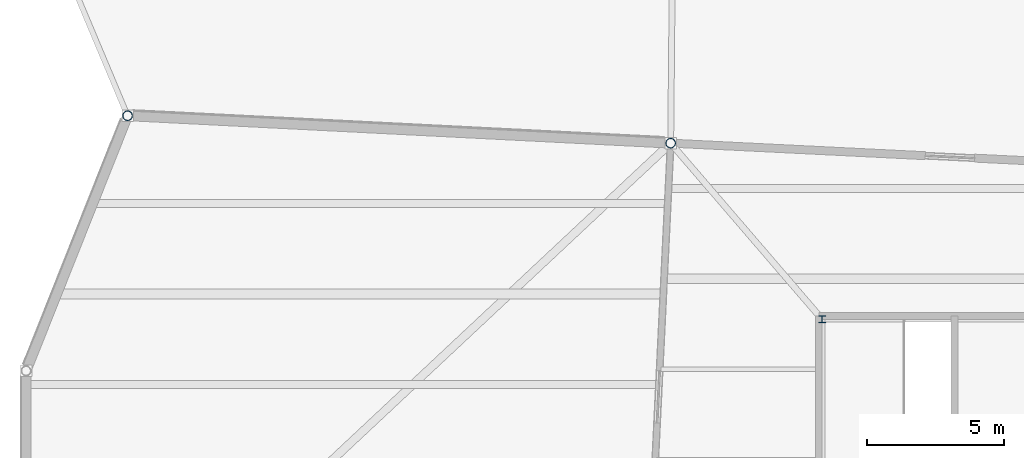
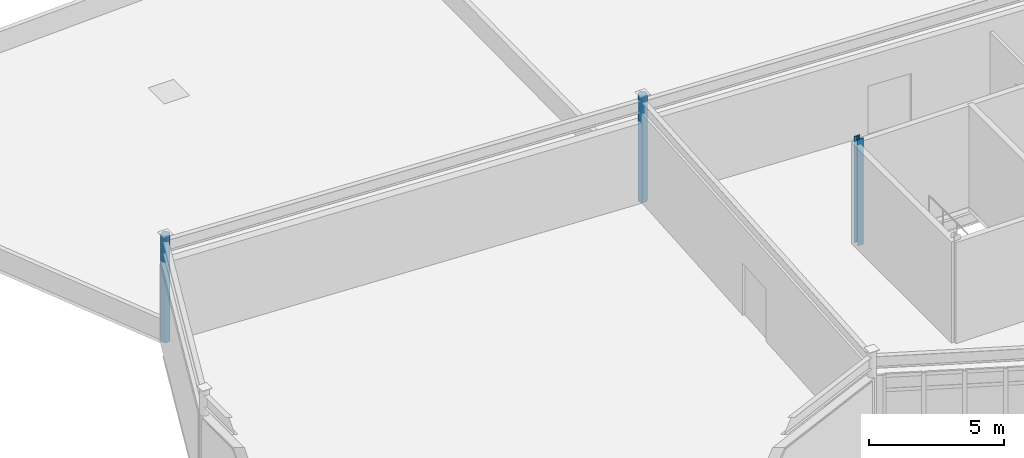
# One storey, part 2 of 114: 3 columns.
"""IFC4 building model written with IfcOpenShell, lengths in metres."""

import ifcopenshell
import ifcopenshell.guid

model = None  # the IFC model being written
_history = None  # IfcOwnerHistory: only IFC2X3 demands one
_inside = {}  # id of a spatial element -> (the spatial element, [elements in it])
_under = {}  # id of a project, library or spatial element -> (it, [spatial elements below it])
_declared = {}  # id of a project -> (the project, [libraries it declares])
_typed = {}  # id of a type object -> (the type object, [elements of that type])
_made_of = {}  # id of a material, layer set ... -> (it, [elements and type objects made of it])


def new_model(schema):
    """Start an empty IFC model of exactly this schema.

    Asked for "IFC4X3", IfcOpenShell would pick the latest addendum, in which some entities
    have other attributes; the version numbers below select the first issue.
    IFC2X3 requires an IfcOwnerHistory on every rooted entity: one is made here for all.
    """
    global model, _history
    if schema == "IFC4X3":
        model = ifcopenshell.file(schema_version=(4, 3, 0, 0))
    else:
        model = ifcopenshell.file(schema=schema)
    _inside.clear()
    _under.clear()
    _declared.clear()
    _typed.clear()
    _made_of.clear()
    _history = None
    if model.schema == "IFC2X3":
        org = make("IfcOrganization", Name="unknown")
        user = make(
            "IfcPersonAndOrganization",
            ThePerson=make("IfcPerson", FamilyName="unknown"),
            TheOrganization=org,
        )
        app = make(
            "IfcApplication",
            ApplicationDeveloper=org,
            Version="unknown",
            ApplicationFullName="unknown",
            ApplicationIdentifier="unknown",
        )
        _history = make(
            "IfcOwnerHistory",
            OwningUser=user,
            OwningApplication=app,
            ChangeAction="ADDED",
            CreationDate=0,
        )
    return model


def make(cls, **values):
    """One entity of the class cls with the attributes given. An attribute that is None is left unset."""
    return model.create_entity(
        cls, **{name: value for name, value in values.items() if value is not None}
    )


def rooted(cls, **values):
    """An entity with a GlobalId (a new one), such as an element, a storey or a relation."""
    return make(cls, GlobalId=ifcopenshell.guid.new(), OwnerHistory=_history, **values)


def si_unit(unit_type, name, prefix=None):
    """IfcSIUnit, for example si_unit("LENGTHUNIT", "METRE", prefix="MILLI")."""
    return make("IfcSIUnit", UnitType=unit_type, Prefix=prefix, Name=name)


def assignment(units):
    """IfcUnitAssignment: the units of a project."""
    return None if units is None else make("IfcUnitAssignment", Units=units)


def point(xyz):
    """IfcCartesianPoint."""
    return None if xyz is None else make("IfcCartesianPoint", Coordinates=xyz)


def direction(xyz):
    """IfcDirection."""
    return None if xyz is None else make("IfcDirection", DirectionRatios=xyz)


def frame(location, z_axis=None, x_axis=None):
    """IfcAxis2Placement3D, a coordinate frame: its origin and axes. An axis left out is left unset."""
    return make(
        "IfcAxis2Placement3D",
        Location=point(location),
        Axis=direction(z_axis),
        RefDirection=direction(x_axis),
    )


def frame_2d(location, x_axis=None):
    """IfcAxis2Placement2D, a coordinate frame in the plane: its origin and x axis."""
    return make(
        "IfcAxis2Placement2D", Location=point(location), RefDirection=direction(x_axis)
    )


def origin():
    """The frame at (0, 0, 0) with its axes left unset."""
    return frame((0.0, 0.0, 0.0))


def origin_2d():
    """The frame at (0, 0) in the plane with its x axis left unset."""
    return frame_2d((0.0, 0.0))


def place(relative_to, where):
    """IfcLocalPlacement: puts the frame where relative to a parent placement (None: the world)."""
    return make(
        "IfcLocalPlacement", PlacementRelTo=relative_to, RelativePlacement=where
    )


def context(
    kind, dimensions, precision=None, world=None, true_north=None, identifier=None
):
    """IfcGeometricRepresentationContext, for example the 3D "Model" context."""
    return make(
        "IfcGeometricRepresentationContext",
        ContextIdentifier=identifier,
        ContextType=kind,
        CoordinateSpaceDimension=dimensions,
        Precision=precision,
        WorldCoordinateSystem=world,
        TrueNorth=true_north,
    )


def subcontext(parent, identifier, kind, view, scale=None):
    """IfcGeometricRepresentationSubContext, for example "Body" below "Model"."""
    return make(
        "IfcGeometricRepresentationSubContext",
        ContextIdentifier=identifier,
        ContextType=kind,
        ParentContext=parent,
        TargetScale=scale,
        TargetView=view,
    )


def project(units=None, contexts=None):
    """IfcProject with its units and contexts."""
    return rooted(
        "IfcProject",
        Name="project",
        RepresentationContexts=contexts,
        UnitsInContext=assignment(units),
    )


def spatial(cls, under=None, at=None, **own):
    """A site, building, storey or space (cls), placed at a placement, below another one or the project."""
    s = rooted(cls, ObjectPlacement=at, **own)
    if under is not None:
        _under.setdefault(under.id(), (under, []))[1].append(s)
    return s


def profile(cls, at=None, kind="AREA", **sizes):
    """A parametric profile (cls). Its sizes go by their IFC names, for example OverallWidth=200.0."""
    return make(cls, ProfileType=kind, Position=at, **sizes)


def hollow_circle(**sizes):
    """IfcCircleHollowProfileDef."""
    return profile("IfcCircleHollowProfileDef", **sizes)


def i_section(**sizes):
    """IfcIShapeProfileDef."""
    return profile("IfcIShapeProfileDef", **sizes)


def extrude(swept, where, along, depth):
    """IfcExtrudedAreaSolid: the profile swept, set in the frame where, extruded along a direction by depth."""
    return make(
        "IfcExtrudedAreaSolid",
        SweptArea=swept,
        Position=where,
        ExtrudedDirection=direction(along),
        Depth=depth,
    )


def shape(context_of_items, identifier, shape_type, items):
    """IfcShapeRepresentation: the items that make up one representation, for example the "Body"."""
    return make(
        "IfcShapeRepresentation",
        ContextOfItems=context_of_items,
        RepresentationIdentifier=identifier,
        RepresentationType=shape_type,
        Items=items,
    )


def material(Name=None, Category=None):
    """IfcMaterial."""
    return make("IfcMaterial", Name=Name, Category=Category)


def material_profile(
    of_material, cross_section, Name=None, Category=None, Priority=None
):
    """IfcMaterialProfile: a cross section and its material."""
    return make(
        "IfcMaterialProfile",
        Name=Name,
        Material=of_material,
        Profile=cross_section,
        Priority=Priority,
        Category=Category,
    )


def profile_set(profiles, Name=None, composite=None):
    """IfcMaterialProfileSet."""
    return make(
        "IfcMaterialProfileSet",
        Name=Name,
        MaterialProfiles=profiles,
        CompositeProfile=composite,
    )


def made_of(thing, what):
    """Note that an element or type object is made of a material, layer set ...; save() writes the relation."""
    if what is not None:
        _made_of.setdefault(what.id(), (what, []))[1].append(thing)
    return thing


def type_object(cls, material=None, **own):
    """A type object (cls), such as IfcWallType, which elements share."""
    return made_of(rooted(cls, **own), material)


def element(
    cls,
    number,
    at=None,
    inside=None,
    cuts=None,
    type_object=None,
    material=None,
    context=None,
    identifier="Body",
    shape_type=None,
    held_by="IfcProductDefinitionShape",
    body=None,
    shapes=None,
    **own,
):
    """One element of the class cls, such as IfcWall. Its Tag is "e" and its number.

    at: its placement. inside: the storey or other place that contains it. cuts: it is an
    opening in that element (IfcRelVoidsElement). A single representation is given by context,
    identifier, shape_type and body (its items); several are given by shapes. held_by: the class
    of the entity that holds the representations. save() writes the other relations.
    """
    e = rooted(cls, Tag="e%d" % number, ObjectPlacement=at, **own)
    if body is not None:
        shapes = [shape(context, identifier, shape_type, body)]
    if shapes is not None:
        e.Representation = make(held_by, Representations=shapes)
    if inside is not None:
        _inside.setdefault(inside.id(), (inside, []))[1].append(e)
    if cuts is not None:
        rooted(
            "IfcRelVoidsElement", RelatingBuildingElement=cuts, RelatedOpeningElement=e
        )
    if type_object is not None:
        _typed.setdefault(type_object.id(), (type_object, []))[1].append(e)
    return made_of(e, material)


def aggregate(whole, parts):
    """IfcRelAggregates: a whole, such as a stair, and the parts it consists of."""
    return rooted("IfcRelAggregates", RelatingObject=whole, RelatedObjects=parts)


def save(model, path):
    """Write the relations noted so far, then the file.

    IfcRelAggregates (storeys below a building ...), IfcRelContainedInSpatialStructure (elements
    in a storey), IfcRelDefinesByType, IfcRelAssociatesMaterial and IfcRelDeclares: one each for
    every whole, place, type object, material and project.
    """
    for whole, parts in _under.values():
        aggregate(whole, parts)
    for where, things in _inside.values():
        rooted(
            "IfcRelContainedInSpatialStructure",
            RelatedElements=things,
            RelatingStructure=where,
        )
    for kind, things in _typed.values():
        rooted("IfcRelDefinesByType", RelatedObjects=things, RelatingType=kind)
    for what, things in _made_of.values():
        rooted("IfcRelAssociatesMaterial", RelatedObjects=things, RelatingMaterial=what)
    for by, libraries in _declared.values():
        rooted("IfcRelDeclares", RelatingContext=by, RelatedDefinitions=libraries)
    model.write(path)


model = new_model("IFC4")

# Units and contexts
model_context = context("Model", 3, precision=1e-05, world=origin(), true_north=direction((0.0, 1.0)))
body_context = subcontext(model_context, "Body", "Model", "MODEL_VIEW")
ifc_project = project(units=[si_unit("LENGTHUNIT", "METRE"), si_unit("AREAUNIT", "SQUARE_METRE"), si_unit("VOLUMEUNIT", "CUBIC_METRE"), si_unit("PLANEANGLEUNIT", "RADIAN"), si_unit("MASSUNIT", "GRAM", prefix="KILO")], contexts=[model_context])

# Site, building, storey
site_placement = place(None, origin())
site = spatial("IfcSite", under=ifc_project, at=site_placement, CompositionType="ELEMENT")
building_placement = place(site_placement, origin())
building = spatial("IfcBuilding", under=site, at=building_placement, Name="Tameran Prism Museum", CompositionType="ELEMENT")
storey_placement = place(building_placement, frame((0.0, 0.0, 10.199951171875)))
storey = spatial("IfcBuildingStorey", under=building, at=storey_placement, Name="L02", CompositionType="ELEMENT", Elevation=10.199951171875)

# Columns
ifc_material_1 = material(Name="Steel Grade C350L0 (350 MPa)", Category="steel")
ifc_material_profile_1 = material_profile(ifc_material_1, hollow_circle(Radius=0.177734375, WallThickness=0.0126953125, at=origin_2d()))
ifc_profile_set_1 = profile_set([ifc_material_profile_1])
column_type_1 = type_object("IfcColumnType", Name="COL-CHS355", PredefinedType="COLUMN", material=ifc_profile_set_1)
for number, where, z_axis, x_axis, name in (
    (1, (3.699951171875, 23.0, 0.0), (0.0, 0.0, 1.0), (1.0, 0.0, 0.0), "Column CV-09 L02"),
    (2, (23.5, 22.0, 0.0), (0.0, 0.0, 1.0), (1.0, 0.0, 0.0), "Column CV-14 L02"),
):
    element("IfcColumn", number, at=place(storey_placement, frame(where, z_axis=z_axis, x_axis=x_axis)), inside=storey, type_object=column_type_1, Name=name, PredefinedType="COLUMN", context=body_context, shape_type="SweptSolid", body=[
        extrude(hollow_circle(Radius=0.177734375, WallThickness=0.0126953125, at=origin_2d()), origin(), (0.0, 0.0, 1.0), 4.800048828125),
    ])
ifc_material_2 = material(Name="Steel Grade 300PLUS (300 MPa)", Category="steel")
ifc_material_profile_2 = material_profile(ifc_material_2, i_section(OverallWidth=0.25390625, OverallDepth=0.25390625, WebThickness=0.008544921875, FlangeThickness=0.01416015625, FilletRadius=0.0126953125, at=origin_2d()))
ifc_profile_set_2 = profile_set([ifc_material_profile_2])
column_type_2 = type_object("IfcColumnType", Name="COL-UC250B", PredefinedType="COLUMN", material=ifc_profile_set_2)
column_placement = place(storey_placement, frame((29.02001953125, 15.580078125, 0.0), z_axis=(0.0, 0.0, 1.0), x_axis=(1.0, 0.0, 0.0)))
element("IfcColumn", 3, at=column_placement, inside=storey, type_object=column_type_2, Name="Column CC-6-4 L02", PredefinedType="COLUMN", context=body_context, shape_type="SweptSolid", body=[
    extrude(i_section(OverallWidth=0.25390625, OverallDepth=0.25390625, WebThickness=0.008544921875, FlangeThickness=0.01416015625, FilletRadius=0.0126953125, at=origin_2d()), origin(), (0.0, 0.0, 1.0), 4.800048828125),
])

save(model, "model.ifc")
